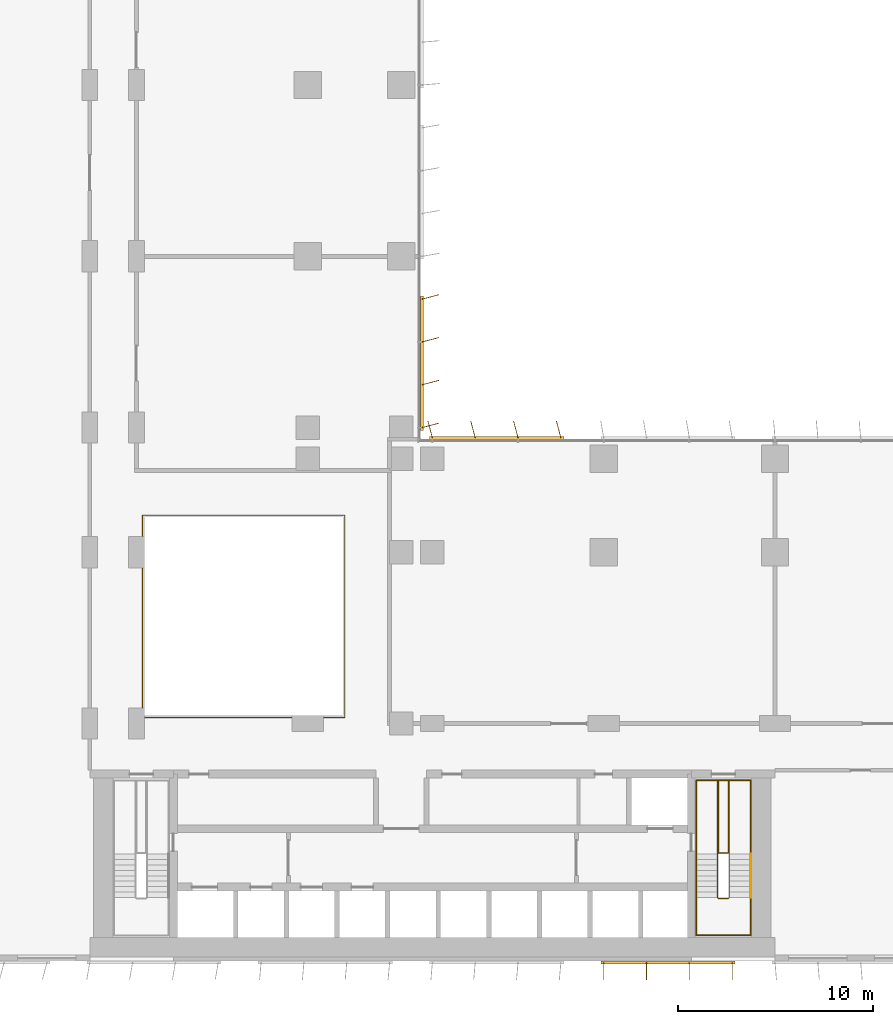
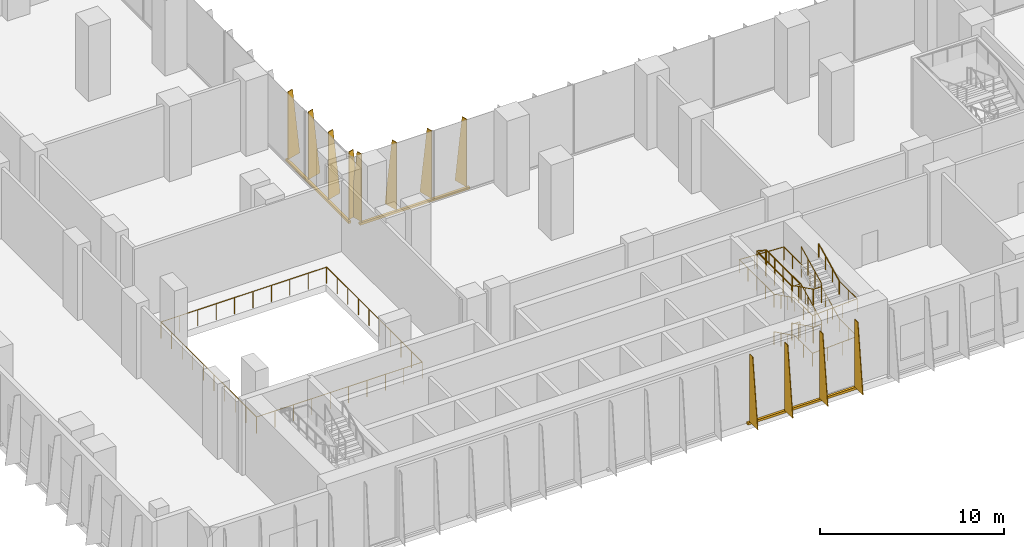
# One storey, part 19 of 23: 5 railings, 3 shading devices.
"""IFC4 building model written with IfcOpenShell, lengths in metres."""

import ifcopenshell
import ifcopenshell.guid

model = None  # the IFC model being written
_history = None  # IfcOwnerHistory: only IFC2X3 demands one
_inside = {}  # id of a spatial element -> (the spatial element, [elements in it])
_under = {}  # id of a project, library or spatial element -> (it, [spatial elements below it])
_declared = {}  # id of a project -> (the project, [libraries it declares])
_typed = {}  # id of a type object -> (the type object, [elements of that type])
_made_of = {}  # id of a material, layer set ... -> (it, [elements and type objects made of it])


def new_model(schema):
    """Start an empty IFC model of exactly this schema.

    Asked for "IFC4X3", IfcOpenShell would pick the latest addendum, in which some entities
    have other attributes; the version numbers below select the first issue.
    IFC2X3 requires an IfcOwnerHistory on every rooted entity: one is made here for all.
    """
    global model, _history
    if schema == "IFC4X3":
        model = ifcopenshell.file(schema_version=(4, 3, 0, 0))
    else:
        model = ifcopenshell.file(schema=schema)
    _inside.clear()
    _under.clear()
    _declared.clear()
    _typed.clear()
    _made_of.clear()
    _history = None
    if model.schema == "IFC2X3":
        org = make("IfcOrganization", Name="unknown")
        user = make(
            "IfcPersonAndOrganization",
            ThePerson=make("IfcPerson", FamilyName="unknown"),
            TheOrganization=org,
        )
        app = make(
            "IfcApplication",
            ApplicationDeveloper=org,
            Version="unknown",
            ApplicationFullName="unknown",
            ApplicationIdentifier="unknown",
        )
        _history = make(
            "IfcOwnerHistory",
            OwningUser=user,
            OwningApplication=app,
            ChangeAction="ADDED",
            CreationDate=0,
        )
    return model


def make(cls, **values):
    """One entity of the class cls with the attributes given. An attribute that is None is left unset."""
    return model.create_entity(
        cls, **{name: value for name, value in values.items() if value is not None}
    )


def rooted(cls, **values):
    """An entity with a GlobalId (a new one), such as an element, a storey or a relation."""
    return make(cls, GlobalId=ifcopenshell.guid.new(), OwnerHistory=_history, **values)


def si_unit(unit_type, name, prefix=None):
    """IfcSIUnit, for example si_unit("LENGTHUNIT", "METRE", prefix="MILLI")."""
    return make("IfcSIUnit", UnitType=unit_type, Prefix=prefix, Name=name)


def assignment(units):
    """IfcUnitAssignment: the units of a project."""
    return None if units is None else make("IfcUnitAssignment", Units=units)


def point(xyz):
    """IfcCartesianPoint."""
    return None if xyz is None else make("IfcCartesianPoint", Coordinates=xyz)


def direction(xyz):
    """IfcDirection."""
    return None if xyz is None else make("IfcDirection", DirectionRatios=xyz)


def frame(location, z_axis=None, x_axis=None):
    """IfcAxis2Placement3D, a coordinate frame: its origin and axes. An axis left out is left unset."""
    return make(
        "IfcAxis2Placement3D",
        Location=point(location),
        Axis=direction(z_axis),
        RefDirection=direction(x_axis),
    )


def frame_2d(location, x_axis=None):
    """IfcAxis2Placement2D, a coordinate frame in the plane: its origin and x axis."""
    return make(
        "IfcAxis2Placement2D", Location=point(location), RefDirection=direction(x_axis)
    )


def origin():
    """The frame at (0, 0, 0) with its axes left unset."""
    return frame((0.0, 0.0, 0.0))


def origin_2d():
    """The frame at (0, 0) in the plane with its x axis left unset."""
    return frame_2d((0.0, 0.0))


def place(relative_to, where):
    """IfcLocalPlacement: puts the frame where relative to a parent placement (None: the world)."""
    return make(
        "IfcLocalPlacement", PlacementRelTo=relative_to, RelativePlacement=where
    )


def context(
    kind, dimensions, precision=None, world=None, true_north=None, identifier=None
):
    """IfcGeometricRepresentationContext, for example the 3D "Model" context."""
    return make(
        "IfcGeometricRepresentationContext",
        ContextIdentifier=identifier,
        ContextType=kind,
        CoordinateSpaceDimension=dimensions,
        Precision=precision,
        WorldCoordinateSystem=world,
        TrueNorth=true_north,
    )


def subcontext(parent, identifier, kind, view, scale=None):
    """IfcGeometricRepresentationSubContext, for example "Body" below "Model"."""
    return make(
        "IfcGeometricRepresentationSubContext",
        ContextIdentifier=identifier,
        ContextType=kind,
        ParentContext=parent,
        TargetScale=scale,
        TargetView=view,
    )


def project(units=None, contexts=None):
    """IfcProject with its units and contexts."""
    return rooted(
        "IfcProject",
        Name="project",
        RepresentationContexts=contexts,
        UnitsInContext=assignment(units),
    )


def spatial(cls, under=None, at=None, **own):
    """A site, building, storey or space (cls), placed at a placement, below another one or the project."""
    s = rooted(cls, ObjectPlacement=at, **own)
    if under is not None:
        _under.setdefault(under.id(), (under, []))[1].append(s)
    return s


def polyline(points):
    """IfcPolyline through the points."""
    return make("IfcPolyline", Points=[point(p) for p in points])


def profile(cls, at=None, kind="AREA", **sizes):
    """A parametric profile (cls). Its sizes go by their IFC names, for example OverallWidth=200.0."""
    return make(cls, ProfileType=kind, Position=at, **sizes)


def rectangle(**sizes):
    """IfcRectangleProfileDef."""
    return profile("IfcRectangleProfileDef", **sizes)


def circle(**sizes):
    """IfcCircleProfileDef."""
    return profile("IfcCircleProfileDef", **sizes)


def outline(outer, holes=None, kind="AREA"):
    """IfcArbitraryClosedProfileDef: a profile drawn as a closed curve; with holes, ...WithVoids."""
    if holes is None:
        return make("IfcArbitraryClosedProfileDef", ProfileType=kind, OuterCurve=outer)
    return make(
        "IfcArbitraryProfileDefWithVoids",
        ProfileType=kind,
        OuterCurve=outer,
        InnerCurves=holes,
    )


def extrude(swept, where, along, depth):
    """IfcExtrudedAreaSolid: the profile swept, set in the frame where, extruded along a direction by depth."""
    return make(
        "IfcExtrudedAreaSolid",
        SweptArea=swept,
        Position=where,
        ExtrudedDirection=direction(along),
        Depth=depth,
    )


def shape(context_of_items, identifier, shape_type, items):
    """IfcShapeRepresentation: the items that make up one representation, for example the "Body"."""
    return make(
        "IfcShapeRepresentation",
        ContextOfItems=context_of_items,
        RepresentationIdentifier=identifier,
        RepresentationType=shape_type,
        Items=items,
    )


def source(mapping_origin, context_of_items, identifier, shape_type, items):
    """IfcRepresentationMap: a shape defined once, which mapped items show again and again."""
    return make(
        "IfcRepresentationMap",
        MappingOrigin=mapping_origin,
        MappedRepresentation=shape(context_of_items, identifier, shape_type, items),
    )


def transform(
    local_origin,
    x_axis=None,
    y_axis=None,
    z_axis=None,
    scale=None,
    scale2=None,
    scale3=None,
    uniform=True,
):
    """IfcCartesianTransformationOperator3D, or its non-uniform kind. x_axis, y_axis, z_axis: its Axis1, 2, 3."""
    if uniform:
        return make(
            "IfcCartesianTransformationOperator3D",
            Axis1=direction(x_axis),
            Axis2=direction(y_axis),
            LocalOrigin=point(local_origin),
            Scale=scale,
            Axis3=direction(z_axis),
        )
    return make(
        "IfcCartesianTransformationOperator3DnonUniform",
        Axis1=direction(x_axis),
        Axis2=direction(y_axis),
        LocalOrigin=point(local_origin),
        Scale=scale,
        Axis3=direction(z_axis),
        Scale2=scale2,
        Scale3=scale3,
    )


def mapped(mapping_source, mapping_target):
    """IfcMappedItem: shows the shape of a source again, moved by a transform."""
    return make(
        "IfcMappedItem", MappingSource=mapping_source, MappingTarget=mapping_target
    )


def material(Name=None, Category=None):
    """IfcMaterial."""
    return make("IfcMaterial", Name=Name, Category=Category)


def layer(
    of_material, thickness, ventilated=None, Name=None, Category=None, Priority=None
):
    """IfcMaterialLayer: one layer of a wall or slab, of a material (None: an air gap)."""
    return make(
        "IfcMaterialLayer",
        Material=of_material,
        LayerThickness=thickness,
        IsVentilated=ventilated,
        Name=Name,
        Category=Category,
        Priority=Priority,
    )


def layer_set(layers, Name=None):
    """IfcMaterialLayerSet."""
    return make("IfcMaterialLayerSet", MaterialLayers=layers, LayerSetName=Name)


def made_of(thing, what):
    """Note that an element or type object is made of a material, layer set ...; save() writes the relation."""
    if what is not None:
        _made_of.setdefault(what.id(), (what, []))[1].append(thing)
    return thing


def type_object(cls, material=None, **own):
    """A type object (cls), such as IfcWallType, which elements share."""
    return made_of(rooted(cls, **own), material)


def element(
    cls,
    number,
    at=None,
    inside=None,
    cuts=None,
    type_object=None,
    material=None,
    context=None,
    identifier="Body",
    shape_type=None,
    held_by="IfcProductDefinitionShape",
    body=None,
    shapes=None,
    **own,
):
    """One element of the class cls, such as IfcWall. Its Tag is "e" and its number.

    at: its placement. inside: the storey or other place that contains it. cuts: it is an
    opening in that element (IfcRelVoidsElement). A single representation is given by context,
    identifier, shape_type and body (its items); several are given by shapes. held_by: the class
    of the entity that holds the representations. save() writes the other relations.
    """
    e = rooted(cls, Tag="e%d" % number, ObjectPlacement=at, **own)
    if body is not None:
        shapes = [shape(context, identifier, shape_type, body)]
    if shapes is not None:
        e.Representation = make(held_by, Representations=shapes)
    if inside is not None:
        _inside.setdefault(inside.id(), (inside, []))[1].append(e)
    if cuts is not None:
        rooted(
            "IfcRelVoidsElement", RelatingBuildingElement=cuts, RelatedOpeningElement=e
        )
    if type_object is not None:
        _typed.setdefault(type_object.id(), (type_object, []))[1].append(e)
    return made_of(e, material)


def aggregate(whole, parts):
    """IfcRelAggregates: a whole, such as a stair, and the parts it consists of."""
    return rooted("IfcRelAggregates", RelatingObject=whole, RelatedObjects=parts)


def save(model, path):
    """Write the relations noted so far, then the file.

    IfcRelAggregates (storeys below a building ...), IfcRelContainedInSpatialStructure (elements
    in a storey), IfcRelDefinesByType, IfcRelAssociatesMaterial and IfcRelDeclares: one each for
    every whole, place, type object, material and project.
    """
    for whole, parts in _under.values():
        aggregate(whole, parts)
    for where, things in _inside.values():
        rooted(
            "IfcRelContainedInSpatialStructure",
            RelatedElements=things,
            RelatingStructure=where,
        )
    for kind, things in _typed.values():
        rooted("IfcRelDefinesByType", RelatedObjects=things, RelatingType=kind)
    for what, things in _made_of.values():
        rooted("IfcRelAssociatesMaterial", RelatedObjects=things, RelatingMaterial=what)
    for by, libraries in _declared.values():
        rooted("IfcRelDeclares", RelatingContext=by, RelatedDefinitions=libraries)
    model.write(path)


model = new_model("IFC4")

# Units and contexts
model_context = context("Model", 3, precision=1e-05, world=origin(), true_north=direction((0.0, 1.0)))
body_context = subcontext(model_context, "Body", "Model", "MODEL_VIEW")
ifc_project = project(units=[si_unit("LENGTHUNIT", "METRE"), si_unit("AREAUNIT", "SQUARE_METRE"), si_unit("VOLUMEUNIT", "CUBIC_METRE"), si_unit("PLANEANGLEUNIT", "RADIAN"), si_unit("MASSUNIT", "GRAM", prefix="KILO")], contexts=[model_context])

# Site, building, storey
site_placement = place(None, origin())
site = spatial("IfcSite", under=ifc_project, at=site_placement, CompositionType="ELEMENT")
building_placement = place(site_placement, origin())
building = spatial("IfcBuilding", under=site, at=building_placement, Name="Kemantara Hotel Tower", CompositionType="ELEMENT")
storey_placement = place(building_placement, frame((0.0, 0.0, 71.0)))
storey = spatial("IfcBuildingStorey", under=building, at=storey_placement, Name="L16", CompositionType="ELEMENT", Elevation=71.0)

# Railings
ifc_material_1 = material(Name="Stainless steel balustrade", Category="steel")
railing_type_1 = type_object("IfcRailingType", Name="STAINLESS STEEL GUARD 1100", PredefinedType="GUARDRAIL", material=ifc_material_1)
railing_1_placement = place(storey_placement, frame((12.5, 12.5, 0.0)))
element("IfcRailing", 1, at=railing_1_placement, inside=storey, type_object=railing_type_1, Name="ATRIUM GUARD", PredefinedType="GUARDRAIL", context=body_context, shape_type="SweptSolid", body=[
    extrude(circle(Radius=0.02392578125, at=origin_2d()), frame((0.0, 0.0, 1.076171875), z_axis=(1.0, 0.0, 0.0), x_axis=(0.0, 1.0, 0.0)), (0.0, 0.0, 1.0), 10.39990234375),
    extrude(circle(Radius=0.02392578125, at=origin_2d()), frame((10.39990234375, 0.0, 1.076171875), z_axis=(0.0, 1.0, 0.0), x_axis=(-1.0, 0.0, 0.0)), (0.0, 0.0, 1.0), 10.39990234375),
    extrude(circle(Radius=0.02392578125, at=origin_2d()), frame((10.39990234375, 10.39990234375, 1.076171875), z_axis=(-1.0, 0.0, 0.0), x_axis=(0.0, -1.0, 0.0)), (0.0, 0.0, 1.0), 10.39990234375),
    extrude(circle(Radius=0.02392578125, at=origin_2d()), frame((0.0, 10.39990234375, 1.076171875), z_axis=(0.0, -1.0, 0.0), x_axis=(1.0, 0.0, 0.0)), (0.0, 0.0, 1.0), 10.39990234375),
    extrude(circle(Radius=0.02099609375, at=origin_2d()), origin(), (0.0, 0.0, 1.0), 1.052001953125),
    extrude(circle(Radius=0.02099609375, at=origin_2d()), frame((1.155517578125, 0.0, 0.0)), (0.0, 0.0, 1.0), 1.052001953125),
    extrude(circle(Radius=0.02099609375, at=origin_2d()), frame((2.31103515625, 0.0, 0.0)), (0.0, 0.0, 1.0), 1.052001953125),
    extrude(circle(Radius=0.02099609375, at=origin_2d()), frame((3.466552734375, 0.0, 0.0)), (0.0, 0.0, 1.0), 1.052001953125),
    extrude(circle(Radius=0.02099609375, at=origin_2d()), frame((4.6220703125, 0.0, 0.0)), (0.0, 0.0, 1.0), 1.052001953125),
    extrude(circle(Radius=0.02099609375, at=origin_2d()), frame((5.77783203125, 0.0, 0.0)), (0.0, 0.0, 1.0), 1.052001953125),
    extrude(circle(Radius=0.02099609375, at=origin_2d()), frame((6.933349609375, 0.0, 0.0)), (0.0, 0.0, 1.0), 1.052001953125),
    extrude(circle(Radius=0.02099609375, at=origin_2d()), frame((8.0888671875, 0.0, 0.0)), (0.0, 0.0, 1.0), 1.052001953125),
    extrude(circle(Radius=0.02099609375, at=origin_2d()), frame((9.244384765625, 0.0, 0.0)), (0.0, 0.0, 1.0), 1.052001953125),
    extrude(circle(Radius=0.02099609375, at=origin_2d()), frame((10.39990234375, 0.0, 0.0)), (0.0, 0.0, 1.0), 1.052001953125),
    extrude(circle(Radius=0.02099609375, at=origin_2d()), frame((10.39990234375, 1.155517578125, 0.0)), (0.0, 0.0, 1.0), 1.052001953125),
    extrude(circle(Radius=0.02099609375, at=origin_2d()), frame((10.39990234375, 2.31103515625, 0.0)), (0.0, 0.0, 1.0), 1.052001953125),
    extrude(circle(Radius=0.02099609375, at=origin_2d()), frame((10.39990234375, 3.466552734375, 0.0)), (0.0, 0.0, 1.0), 1.052001953125),
    extrude(circle(Radius=0.02099609375, at=origin_2d()), frame((10.39990234375, 4.6220703125, 0.0)), (0.0, 0.0, 1.0), 1.052001953125),
    extrude(circle(Radius=0.02099609375, at=origin_2d()), frame((10.39990234375, 5.77783203125, 0.0)), (0.0, 0.0, 1.0), 1.052001953125),
    extrude(circle(Radius=0.02099609375, at=origin_2d()), frame((10.39990234375, 6.933349609375, 0.0)), (0.0, 0.0, 1.0), 1.052001953125),
    extrude(circle(Radius=0.02099609375, at=origin_2d()), frame((10.39990234375, 8.0888671875, 0.0)), (0.0, 0.0, 1.0), 1.052001953125),
    extrude(circle(Radius=0.02099609375, at=origin_2d()), frame((10.39990234375, 9.244384765625, 0.0)), (0.0, 0.0, 1.0), 1.052001953125),
    extrude(circle(Radius=0.02099609375, at=origin_2d()), frame((10.39990234375, 10.39990234375, 0.0)), (0.0, 0.0, 1.0), 1.052001953125),
    extrude(circle(Radius=0.02099609375, at=origin_2d()), frame((9.244384765625, 10.39990234375, 0.0)), (0.0, 0.0, 1.0), 1.052001953125),
    extrude(circle(Radius=0.02099609375, at=origin_2d()), frame((8.0888671875, 10.39990234375, 0.0)), (0.0, 0.0, 1.0), 1.052001953125),
    extrude(circle(Radius=0.02099609375, at=origin_2d()), frame((6.933349609375, 10.39990234375, 0.0)), (0.0, 0.0, 1.0), 1.052001953125),
    extrude(circle(Radius=0.02099609375, at=origin_2d()), frame((5.77783203125, 10.39990234375, 0.0)), (0.0, 0.0, 1.0), 1.052001953125),
    extrude(circle(Radius=0.02099609375, at=origin_2d()), frame((4.6220703125, 10.39990234375, 0.0)), (0.0, 0.0, 1.0), 1.052001953125),
    extrude(circle(Radius=0.02099609375, at=origin_2d()), frame((3.466552734375, 10.39990234375, 0.0)), (0.0, 0.0, 1.0), 1.052001953125),
    extrude(circle(Radius=0.02099609375, at=origin_2d()), frame((2.31103515625, 10.39990234375, 0.0)), (0.0, 0.0, 1.0), 1.052001953125),
    extrude(circle(Radius=0.02099609375, at=origin_2d()), frame((1.155517578125, 10.39990234375, 0.0)), (0.0, 0.0, 1.0), 1.052001953125),
    extrude(circle(Radius=0.02099609375, at=origin_2d()), frame((0.0, 10.39990234375, 0.0)), (0.0, 0.0, 1.0), 1.052001953125),
    extrude(circle(Radius=0.02099609375, at=origin_2d()), frame((0.0, 9.244384765625, 0.0)), (0.0, 0.0, 1.0), 1.052001953125),
    extrude(circle(Radius=0.02099609375, at=origin_2d()), frame((0.0, 8.0888671875, 0.0)), (0.0, 0.0, 1.0), 1.052001953125),
    extrude(circle(Radius=0.02099609375, at=origin_2d()), frame((0.0, 6.933349609375, 0.0)), (0.0, 0.0, 1.0), 1.052001953125),
    extrude(circle(Radius=0.02099609375, at=origin_2d()), frame((0.0, 5.77783203125, 0.0)), (0.0, 0.0, 1.0), 1.052001953125),
    extrude(circle(Radius=0.02099609375, at=origin_2d()), frame((0.0, 4.6220703125, 0.0)), (0.0, 0.0, 1.0), 1.052001953125),
    extrude(circle(Radius=0.02099609375, at=origin_2d()), frame((0.0, 3.466552734375, 0.0)), (0.0, 0.0, 1.0), 1.052001953125),
    extrude(circle(Radius=0.02099609375, at=origin_2d()), frame((0.0, 2.31103515625, 0.0)), (0.0, 0.0, 1.0), 1.052001953125),
    extrude(circle(Radius=0.02099609375, at=origin_2d()), frame((0.0, 1.155517578125, 0.0)), (0.0, 0.0, 1.0), 1.052001953125),
])
railing_type_2 = type_object("IfcRailingType", Name="Stair guard 1100 mm", PredefinedType="GUARDRAIL", material=ifc_material_1)
railing_2_placement = place(storey_placement, frame((42.64990234375, 5.5, 5.0)))
element("IfcRailing", 2, at=railing_2_placement, inside=storey, type_object=railing_type_2, Name="L16 ST2 stair guard 1", PredefinedType="GUARDRAIL", context=body_context, shape_type="SweptSolid", body=[
    extrude(circle(Radius=0.02392578125, at=origin_2d()), frame((0.0, 0.0, 1.076171875), z_axis=(0.0, -0.895848192791, -0.444360231651), x_axis=(1.0, 0.0, 0.0)), (0.0, 0.0, 1.0), 2.50048828125),
    extrude(circle(Radius=0.02392578125, at=origin_2d()), frame((0.0, -2.239990234375, -0.03515625), z_axis=(-0.319608697381, -0.321175406682, -0.891457592206), x_axis=(0.708833529934, -0.705375805398, 0.0)), (0.0, 0.0, 1.0), 0.15576171875),
    extrude(circle(Radius=0.02392578125, at=origin_2d()), frame((-0.0498046875, -2.2900390625, -0.173828125), z_axis=(-1.0, 0.0, 0.0), x_axis=(0.0, -1.0, 0.0)), (0.0, 0.0, 1.0), 0.5),
    extrude(circle(Radius=0.02392578125, at=origin_2d()), frame((-0.5498046875, -2.2900390625, -0.173828125), z_axis=(-0.707106781187, 0.707106781187, 0.0), x_axis=(-0.707106781187, -0.707106781187, 0.0)), (0.0, 0.0, 1.0), 0.07080078125),
    extrude(circle(Radius=0.02392578125, at=origin_2d()), frame((-0.599853515625, -2.239990234375, -0.173828125), z_axis=(0.0, 0.895848192791, -0.444360231651), x_axis=(-1.0, 0.0, 0.0)), (0.0, 0.0, 1.0), 2.50048828125),
    extrude(circle(Radius=0.02392578125, at=origin_2d()), frame((-0.599853515625, 0.0, -1.28515625), z_axis=(0.0, 1.0, 0.0), x_axis=(-1.0, 0.0, 0.0)), (0.0, 0.0, 1.0), 3.780029296875),
    extrude(circle(Radius=0.02392578125, at=origin_2d()), frame((-0.599853515625, 3.780029296875, -1.28515625), z_axis=(0.969557479204, 0.0, -0.244863828525), x_axis=(0.0, 1.0, 0.0)), (0.0, 0.0, 1.0), 0.5673828125),
    extrude(circle(Radius=0.02392578125, at=origin_2d()), frame((-0.0498046875, 3.780029296875, -1.423828125), z_axis=(0.0, -1.0, 0.0), x_axis=(1.0, 0.0, 0.0)), (0.0, 0.0, 1.0), 3.72998046875),
    extrude(circle(Radius=0.02392578125, at=origin_2d()), frame((-0.0498046875, 0.050048828125, -1.423828125), z_axis=(-1.0, 0.0, 0.0), x_axis=(0.0, -1.0, 0.0)), (0.0, 0.0, 1.0), 0.5),
    extrude(circle(Radius=0.02392578125, at=origin_2d()), frame((-0.5498046875, 0.050048828125, -1.423828125), z_axis=(0.0, 1.0, 0.0), x_axis=(-1.0, 0.0, 0.0)), (0.0, 0.0, 1.0), 3.72998046875),
    extrude(circle(Radius=0.02392578125, at=origin_2d()), frame((-0.5498046875, 3.780029296875, -1.423828125), z_axis=(1.0, 0.0, 0.0), x_axis=(0.0, 1.0, 0.0)), (0.0, 0.0, 1.0), 0.5498046875),
    extrude(circle(Radius=0.02392578125, at=origin_2d()), frame((0.0, 3.780029296875, -1.423828125), z_axis=(0.0, -1.0, 0.0), x_axis=(1.0, 0.0, 0.0)), (0.0, 0.0, 1.0), 3.780029296875),
    extrude(circle(Radius=0.02392578125, at=origin_2d()), frame((0.0, 0.0, -1.423828125), z_axis=(0.0, -0.895848192791, -0.444360231651), x_axis=(1.0, 0.0, 0.0)), (0.0, 0.0, 1.0), 2.50048828125),
    extrude(circle(Radius=0.02392578125, at=origin_2d()), frame((0.0, -2.239990234375, -2.53515625), z_axis=(-0.319608697381, -0.321175406682, -0.891457592206), x_axis=(0.708833529934, -0.705375805398, 0.0)), (0.0, 0.0, 1.0), 0.15576171875),
    extrude(circle(Radius=0.02392578125, at=origin_2d()), frame((-0.0498046875, -2.2900390625, -2.673828125), z_axis=(-1.0, 0.0, 0.0), x_axis=(0.0, -1.0, 0.0)), (0.0, 0.0, 1.0), 0.5),
    extrude(circle(Radius=0.02392578125, at=origin_2d()), frame((-0.5498046875, -2.2900390625, -2.673828125), z_axis=(-0.707106781187, 0.707106781187, 0.0), x_axis=(-0.707106781187, -0.707106781187, 0.0)), (0.0, 0.0, 1.0), 0.07080078125),
    extrude(circle(Radius=0.02392578125, at=origin_2d()), frame((-0.599853515625, -2.239990234375, -2.673828125), z_axis=(0.0, 0.895848192791, -0.444360231651), x_axis=(-1.0, 0.0, 0.0)), (0.0, 0.0, 1.0), 2.50048828125),
    extrude(circle(Radius=0.02392578125, at=origin_2d()), frame((-0.599853515625, 0.0, -3.78515625), z_axis=(0.321014310373, 0.321014310373, -0.891010451718), x_axis=(-0.707106781187, 0.707106781187, 0.0)), (0.0, 0.0, 1.0), 0.156005859375),
    extrude(circle(Radius=0.02392578125, at=origin_2d()), frame((-0.5498046875, 0.050048828125, -3.923828125), z_axis=(1.0, 0.0, 0.0), x_axis=(0.0, 1.0, 0.0)), (0.0, 0.0, 1.0), 0.5),
    extrude(circle(Radius=0.02099609375, at=origin_2d()), origin(), (0.0, 0.0, 1.0), 1.052001953125),
    extrude(circle(Radius=0.02099609375, at=origin_2d()), frame((0.0, -0.74658203125, -0.370361328125)), (0.0, 0.0, 1.0), 1.052001953125),
    extrude(circle(Radius=0.02099609375, at=origin_2d()), frame((0.0, -1.493408203125, -0.74072265625)), (0.0, 0.0, 1.0), 1.052001953125),
    extrude(circle(Radius=0.02099609375, at=origin_2d()), frame((0.0, -2.239990234375, -1.111083984375)), (0.0, 0.0, 1.0), 1.052001953125),
    extrude(circle(Radius=0.02099609375, at=origin_2d()), frame((-0.0498046875, -2.2900390625, -1.25)), (0.0, 0.0, 1.0), 1.052001953125),
    extrude(circle(Radius=0.02099609375, at=origin_2d()), frame((-0.5498046875, -2.2900390625, -1.25)), (0.0, 0.0, 1.0), 1.052001953125),
    extrude(circle(Radius=0.02099609375, at=origin_2d()), frame((-0.599853515625, -2.239990234375, -1.25)), (0.0, 0.0, 1.0), 1.052001953125),
    extrude(circle(Radius=0.02099609375, at=origin_2d()), frame((-0.599853515625, -1.493408203125, -1.620361328125)), (0.0, 0.0, 1.0), 1.052001953125),
    extrude(circle(Radius=0.02099609375, at=origin_2d()), frame((-0.599853515625, -0.74658203125, -1.99072265625)), (0.0, 0.0, 1.0), 1.052001953125),
    extrude(circle(Radius=0.02099609375, at=origin_2d()), frame((-0.599853515625, 0.0, -2.361083984375)), (0.0, 0.0, 1.0), 1.052001953125),
    extrude(circle(Radius=0.02099609375, at=origin_2d()), frame((-0.599853515625, 0.945068359375, -2.361083984375)), (0.0, 0.0, 1.0), 1.052001953125),
    extrude(circle(Radius=0.02099609375, at=origin_2d()), frame((-0.599853515625, 1.89013671875, -2.361083984375)), (0.0, 0.0, 1.0), 1.052001953125),
    extrude(circle(Radius=0.02099609375, at=origin_2d()), frame((-0.599853515625, 2.8349609375, -2.361083984375)), (0.0, 0.0, 1.0), 1.052001953125),
    extrude(circle(Radius=0.02099609375, at=origin_2d()), frame((-0.599853515625, 3.780029296875, -2.361083984375)), (0.0, 0.0, 1.0), 1.052001953125),
    extrude(circle(Radius=0.02099609375, at=origin_2d()), frame((-0.0498046875, 3.780029296875, -2.5)), (0.0, 0.0, 1.0), 1.052001953125),
    extrude(circle(Radius=0.02099609375, at=origin_2d()), frame((-0.0498046875, 2.84765625, -2.5)), (0.0, 0.0, 1.0), 1.052001953125),
    extrude(circle(Radius=0.02099609375, at=origin_2d()), frame((-0.0498046875, 1.9150390625, -2.5)), (0.0, 0.0, 1.0), 1.052001953125),
    extrude(circle(Radius=0.02099609375, at=origin_2d()), frame((-0.0498046875, 0.982421875, -2.5)), (0.0, 0.0, 1.0), 1.052001953125),
    extrude(circle(Radius=0.02099609375, at=origin_2d()), frame((-0.0498046875, 0.050048828125, -2.5)), (0.0, 0.0, 1.0), 1.052001953125),
    extrude(circle(Radius=0.02099609375, at=origin_2d()), frame((-0.5498046875, 0.050048828125, -2.5)), (0.0, 0.0, 1.0), 1.052001953125),
    extrude(circle(Radius=0.02099609375, at=origin_2d()), frame((-0.5498046875, 0.982421875, -2.5)), (0.0, 0.0, 1.0), 1.052001953125),
    extrude(circle(Radius=0.02099609375, at=origin_2d()), frame((-0.5498046875, 1.9150390625, -2.5)), (0.0, 0.0, 1.0), 1.052001953125),
    extrude(circle(Radius=0.02099609375, at=origin_2d()), frame((-0.5498046875, 2.84765625, -2.5)), (0.0, 0.0, 1.0), 1.052001953125),
    extrude(circle(Radius=0.02099609375, at=origin_2d()), frame((-0.5498046875, 3.780029296875, -2.5)), (0.0, 0.0, 1.0), 1.052001953125),
    extrude(circle(Radius=0.02099609375, at=origin_2d()), frame((0.0, 3.780029296875, -2.5)), (0.0, 0.0, 1.0), 1.052001953125),
    extrude(circle(Radius=0.02099609375, at=origin_2d()), frame((0.0, 2.8349609375, -2.5)), (0.0, 0.0, 1.0), 1.052001953125),
    extrude(circle(Radius=0.02099609375, at=origin_2d()), frame((0.0, 1.89013671875, -2.5)), (0.0, 0.0, 1.0), 1.052001953125),
    extrude(circle(Radius=0.02099609375, at=origin_2d()), frame((0.0, 0.945068359375, -2.5)), (0.0, 0.0, 1.0), 1.052001953125),
    extrude(circle(Radius=0.02099609375, at=origin_2d()), frame((0.0, 0.0, -2.5)), (0.0, 0.0, 1.0), 1.052001953125),
    extrude(circle(Radius=0.02099609375, at=origin_2d()), frame((0.0, -0.74658203125, -2.870361328125)), (0.0, 0.0, 1.0), 1.052001953125),
    extrude(circle(Radius=0.02099609375, at=origin_2d()), frame((0.0, -1.493408203125, -3.24072265625)), (0.0, 0.0, 1.0), 1.052001953125),
    extrude(circle(Radius=0.02099609375, at=origin_2d()), frame((0.0, -2.239990234375, -3.611083984375)), (0.0, 0.0, 1.0), 1.052001953125),
    extrude(circle(Radius=0.02099609375, at=origin_2d()), frame((-0.0498046875, -2.2900390625, -3.75)), (0.0, 0.0, 1.0), 1.052001953125),
    extrude(circle(Radius=0.02099609375, at=origin_2d()), frame((-0.5498046875, -2.2900390625, -3.75)), (0.0, 0.0, 1.0), 1.052001953125),
    extrude(circle(Radius=0.02099609375, at=origin_2d()), frame((-0.599853515625, -2.239990234375, -3.75)), (0.0, 0.0, 1.0), 1.052001953125),
    extrude(circle(Radius=0.02099609375, at=origin_2d()), frame((-0.599853515625, -1.493408203125, -4.120361328125)), (0.0, 0.0, 1.0), 1.052001953125),
    extrude(circle(Radius=0.02099609375, at=origin_2d()), frame((-0.599853515625, -0.74658203125, -4.49072265625)), (0.0, 0.0, 1.0), 1.052001953125),
    extrude(circle(Radius=0.02099609375, at=origin_2d()), frame((-0.599853515625, 0.0, -4.861083984375)), (0.0, 0.0, 1.0), 1.052001953125),
    extrude(circle(Radius=0.02099609375, at=origin_2d()), frame((-0.5498046875, 0.050048828125, -5.0)), (0.0, 0.0, 1.0), 1.052001953125),
    extrude(circle(Radius=0.02099609375, at=origin_2d()), frame((-0.0498046875, 0.050048828125, -5.0)), (0.0, 0.0, 1.0), 1.052001953125),
])
railing_type_3 = type_object("IfcRailingType", Name="Stair handrail 900 mm", PredefinedType="HANDRAIL", material=ifc_material_1)
railing_3_placement = place(storey_placement, frame((40.949951171875, 5.5, 0.138916015625)))
element("IfcRailing", 3, at=railing_3_placement, inside=storey, type_object=railing_type_3, Name="L16 ST2 stair handrail 1", PredefinedType="HANDRAIL", context=body_context, shape_type="SweptSolid", body=[
    extrude(circle(Radius=0.02392578125, at=origin_2d()), frame((0.0, 0.0, 0.8759765625), z_axis=(0.0, -0.895848192791, 0.444360231651), x_axis=(1.0, 0.0, 0.0)), (0.0, 0.0, 1.0), 2.50048828125),
    extrude(circle(Radius=0.02392578125, at=origin_2d()), frame((0.0, -2.239990234375, 1.98681640625), z_axis=(0.0, -1.0, 0.0), x_axis=(1.0, 0.0, 0.0)), (0.0, 0.0, 1.0), 1.93994140625),
    extrude(circle(Radius=0.02392578125, at=origin_2d()), frame((0.0, -4.179931640625, 1.98681640625), z_axis=(0.998771592041, 0.0, 0.049551053786), x_axis=(0.0, 1.0, 0.0)), (0.0, 0.0, 1.0), 2.803466796875),
    extrude(circle(Radius=0.02392578125, at=origin_2d()), frame((2.800048828125, -4.179931640625, 2.1259765625), z_axis=(0.0, 1.0, 0.0), x_axis=(-1.0, 0.0, 0.0)), (0.0, 0.0, 1.0), 1.93994140625),
    extrude(circle(Radius=0.02392578125, at=origin_2d()), frame((2.800048828125, -2.239990234375, 2.1259765625), z_axis=(0.0, 0.895848192791, 0.444360231651), x_axis=(-1.0, 0.0, 0.0)), (0.0, 0.0, 1.0), 2.50048828125),
    extrude(circle(Radius=0.02392578125, at=origin_2d()), frame((2.800048828125, 0.0, 3.23681640625), z_axis=(0.0, 1.0, 0.0), x_axis=(-1.0, 0.0, 0.0)), (0.0, 0.0, 1.0), 3.780029296875),
    extrude(circle(Radius=0.02099609375, at=origin_2d()), origin(), (0.0, 0.0, 1.0), 0.851806640625),
    extrude(circle(Radius=0.02099609375, at=origin_2d()), frame((0.0, -0.74658203125, 0.370361328125)), (0.0, 0.0, 1.0), 0.851806640625),
    extrude(circle(Radius=0.02099609375, at=origin_2d()), frame((0.0, -1.493408203125, 0.74072265625)), (0.0, 0.0, 1.0), 0.851806640625),
    extrude(circle(Radius=0.02099609375, at=origin_2d()), frame((0.0, -2.239990234375, 1.111083984375)), (0.0, 0.0, 1.0), 0.851806640625),
    extrude(circle(Radius=0.02099609375, at=origin_2d()), frame((0.0, -3.2099609375, 1.111083984375)), (0.0, 0.0, 1.0), 0.851806640625),
    extrude(circle(Radius=0.02099609375, at=origin_2d()), frame((0.0, -4.179931640625, 1.111083984375)), (0.0, 0.0, 1.0), 0.851806640625),
    extrude(circle(Radius=0.02099609375, at=origin_2d()), frame((0.933349609375, -4.179931640625, 1.157470703125)), (0.0, 0.0, 1.0), 0.851806640625),
    extrude(circle(Radius=0.02099609375, at=origin_2d()), frame((1.86669921875, -4.179931640625, 1.20361328125)), (0.0, 0.0, 1.0), 0.851806640625),
    extrude(circle(Radius=0.02099609375, at=origin_2d()), frame((2.800048828125, -4.179931640625, 1.25)), (0.0, 0.0, 1.0), 0.851806640625),
    extrude(circle(Radius=0.02099609375, at=origin_2d()), frame((2.800048828125, -3.2099609375, 1.25)), (0.0, 0.0, 1.0), 0.851806640625),
    extrude(circle(Radius=0.02099609375, at=origin_2d()), frame((2.800048828125, -2.239990234375, 1.25)), (0.0, 0.0, 1.0), 0.851806640625),
    extrude(circle(Radius=0.02099609375, at=origin_2d()), frame((2.800048828125, -1.493408203125, 1.620361328125)), (0.0, 0.0, 1.0), 0.851806640625),
    extrude(circle(Radius=0.02099609375, at=origin_2d()), frame((2.800048828125, -0.74658203125, 1.99072265625)), (0.0, 0.0, 1.0), 0.851806640625),
    extrude(circle(Radius=0.02099609375, at=origin_2d()), frame((2.800048828125, 0.0, 2.361083984375)), (0.0, 0.0, 1.0), 0.851806640625),
    extrude(circle(Radius=0.02099609375, at=origin_2d()), frame((2.800048828125, 0.945068359375, 2.361083984375)), (0.0, 0.0, 1.0), 0.851806640625),
    extrude(circle(Radius=0.02099609375, at=origin_2d()), frame((2.800048828125, 1.89013671875, 2.361083984375)), (0.0, 0.0, 1.0), 0.851806640625),
    extrude(circle(Radius=0.02099609375, at=origin_2d()), frame((2.800048828125, 2.8349609375, 2.361083984375)), (0.0, 0.0, 1.0), 0.851806640625),
    extrude(circle(Radius=0.02099609375, at=origin_2d()), frame((2.800048828125, 3.780029296875, 2.361083984375)), (0.0, 0.0, 1.0), 0.851806640625),
])
railing_4_placement = place(storey_placement, frame((43.75, 9.280029296875, 2.5)))
element("IfcRailing", 4, at=railing_4_placement, inside=storey, type_object=railing_type_3, Name="L16 ST2 stair handrail 2", PredefinedType="HANDRAIL", context=body_context, shape_type="SweptSolid", body=[
    extrude(circle(Radius=0.02392578125, at=origin_2d()), frame((0.0, 0.0, 0.8759765625), z_axis=(-0.998771592041, 0.0, 0.049551053786), x_axis=(0.0, -1.0, 0.0)), (0.0, 0.0, 1.0), 2.803466796875),
    extrude(circle(Radius=0.02392578125, at=origin_2d()), frame((-2.800048828125, 0.0, 1.0146484375), z_axis=(0.0, -1.0, 0.0), x_axis=(1.0, 0.0, 0.0)), (0.0, 0.0, 1.0), 3.780029296875),
    extrude(circle(Radius=0.02392578125, at=origin_2d()), frame((-2.800048828125, -3.780029296875, 1.0146484375), z_axis=(0.0, -0.895848192791, 0.444360231651), x_axis=(1.0, 0.0, 0.0)), (0.0, 0.0, 1.0), 2.50048828125),
    extrude(circle(Radius=0.02392578125, at=origin_2d()), frame((-2.800048828125, -6.02001953125, 2.1259765625), z_axis=(0.0, -1.0, 0.0), x_axis=(1.0, 0.0, 0.0)), (0.0, 0.0, 1.0), 1.93994140625),
    extrude(circle(Radius=0.02392578125, at=origin_2d()), frame((-2.800048828125, -7.9599609375, 2.1259765625), z_axis=(0.998771592041, 0.0, 0.049551053786), x_axis=(0.0, 1.0, 0.0)), (0.0, 0.0, 1.0), 2.803466796875),
    extrude(circle(Radius=0.02392578125, at=origin_2d()), frame((0.0, -7.9599609375, 2.2646484375), z_axis=(0.0, 1.0, 0.0), x_axis=(-1.0, 0.0, 0.0)), (0.0, 0.0, 1.0), 1.93994140625),
    extrude(circle(Radius=0.02099609375, at=origin_2d()), origin(), (0.0, 0.0, 1.0), 0.851806640625),
    extrude(circle(Radius=0.02099609375, at=origin_2d()), frame((-0.933349609375, 0.0, 0.04638671875)), (0.0, 0.0, 1.0), 0.851806640625),
    extrude(circle(Radius=0.02099609375, at=origin_2d()), frame((-1.86669921875, 0.0, 0.092529296875)), (0.0, 0.0, 1.0), 0.851806640625),
    extrude(circle(Radius=0.02099609375, at=origin_2d()), frame((-2.800048828125, 0.0, 0.138916015625)), (0.0, 0.0, 1.0), 0.851806640625),
    extrude(circle(Radius=0.02099609375, at=origin_2d()), frame((-2.800048828125, -0.945068359375, 0.138916015625)), (0.0, 0.0, 1.0), 0.851806640625),
    extrude(circle(Radius=0.02099609375, at=origin_2d()), frame((-2.800048828125, -1.89013671875, 0.138916015625)), (0.0, 0.0, 1.0), 0.851806640625),
    extrude(circle(Radius=0.02099609375, at=origin_2d()), frame((-2.800048828125, -2.8349609375, 0.138916015625)), (0.0, 0.0, 1.0), 0.851806640625),
    extrude(circle(Radius=0.02099609375, at=origin_2d()), frame((-2.800048828125, -3.780029296875, 0.138916015625)), (0.0, 0.0, 1.0), 0.851806640625),
    extrude(circle(Radius=0.02099609375, at=origin_2d()), frame((-2.800048828125, -4.526611328125, 0.50927734375)), (0.0, 0.0, 1.0), 0.851806640625),
    extrude(circle(Radius=0.02099609375, at=origin_2d()), frame((-2.800048828125, -5.2734375, 0.879638671875)), (0.0, 0.0, 1.0), 0.851806640625),
    extrude(circle(Radius=0.02099609375, at=origin_2d()), frame((-2.800048828125, -6.02001953125, 1.25)), (0.0, 0.0, 1.0), 0.851806640625),
    extrude(circle(Radius=0.02099609375, at=origin_2d()), frame((-2.800048828125, -6.989990234375, 1.25)), (0.0, 0.0, 1.0), 0.851806640625),
    extrude(circle(Radius=0.02099609375, at=origin_2d()), frame((-2.800048828125, -7.9599609375, 1.25)), (0.0, 0.0, 1.0), 0.851806640625),
    extrude(circle(Radius=0.02099609375, at=origin_2d()), frame((-1.86669921875, -7.9599609375, 1.29638671875)), (0.0, 0.0, 1.0), 0.851806640625),
    extrude(circle(Radius=0.02099609375, at=origin_2d()), frame((-0.933349609375, -7.9599609375, 1.342529296875)), (0.0, 0.0, 1.0), 0.851806640625),
    extrude(circle(Radius=0.02099609375, at=origin_2d()), frame((0.0, -7.9599609375, 1.388916015625)), (0.0, 0.0, 1.0), 0.851806640625),
    extrude(circle(Radius=0.02099609375, at=origin_2d()), frame((0.0, -6.989990234375, 1.388916015625)), (0.0, 0.0, 1.0), 0.851806640625),
    extrude(circle(Radius=0.02099609375, at=origin_2d()), frame((0.0, -6.02001953125, 1.388916015625)), (0.0, 0.0, 1.0), 0.851806640625),
])
railing_5_placement = place(storey_placement, frame((43.75, 3.260009765625, 3.888916015625)))
element("IfcRailing", 5, at=railing_5_placement, inside=storey, type_object=railing_type_3, Name="L16 ST2 stair handrail 3", PredefinedType="HANDRAIL", context=body_context, shape_type="SweptSolid", body=[
    extrude(circle(Radius=0.02392578125, at=origin_2d()), frame((0.0, 0.0, 0.8759765625), z_axis=(0.0, 0.895848192791, 0.444360231651), x_axis=(-1.0, 0.0, 0.0)), (0.0, 0.0, 1.0), 2.50048828125),
    extrude(circle(Radius=0.02099609375, at=origin_2d()), origin(), (0.0, 0.0, 1.0), 0.851806640625),
    extrude(circle(Radius=0.02099609375, at=origin_2d()), frame((0.0, 0.74658203125, 0.370361328125)), (0.0, 0.0, 1.0), 0.851806640625),
    extrude(circle(Radius=0.02099609375, at=origin_2d()), frame((0.0, 1.493408203125, 0.74072265625)), (0.0, 0.0, 1.0), 0.851806640625),
    extrude(circle(Radius=0.02099609375, at=origin_2d()), frame((0.0, 2.239990234375, 1.111083984375)), (0.0, 0.0, 1.0), 0.851806640625),
])

# Shading devices
ifc_material_2 = material(Name="Perforated aluminium plate 4 mm bronze anodised", Category="aluminium")
ifc_layer_1 = layer(ifc_material_2, 0.0400390625)
ifc_layer_set_1 = layer_set([ifc_layer_1], Name="Perforated aluminium plate 4 mm bronze anodised")
shading_device_type_1 = type_object("IfcShadingDeviceType", Name="SCREEN FIN CASSETTE, 4 BLADES AT +0.0 DEG, 4500 HIGH", PredefinedType="USERDEFINED", material=ifc_layer_set_1)
shared_shape_1 = source(origin(), body_context, "Body", "SweptSolid", [
    extrude(rectangle(XDim=6.89990234375, YDim=0.14990234375, at=origin_2d()), frame((3.300048828125, -0.074951171875, -0.14990234375), z_axis=(0.0, 0.0, 1.0), x_axis=(1.0, 0.0, 0.0)), (0.0, 0.0, 1.0), 0.14990234375),
    extrude(outline(polyline([(0.0, 0.0), (0.89990234375, 0.0), (0.35009765625, 4.5), (0.0, 4.5), (0.0, 0.0)])), frame((0.02001953125, -0.074951171875, 0.0), z_axis=(-1.0, 0.0, 0.0), x_axis=(0.0, -1.0, 0.0)), (0.0, 0.0, 1.0), 0.0400390625),
    extrude(outline(polyline([(0.0, 0.0), (0.89990234375, 0.0), (0.35009765625, 4.5), (0.0, 4.5), (0.0, 0.0)])), frame((2.219970703125, -0.074951171875, 0.0), z_axis=(-1.0, 0.0, 0.0), x_axis=(0.0, -1.0, 0.0)), (0.0, 0.0, 1.0), 0.0400390625),
    extrude(outline(polyline([(0.0, 0.0), (0.89990234375, 0.0), (0.35009765625, 4.5), (0.0, 4.5), (0.0, 0.0)])), frame((4.419921875, -0.074951171875, 0.0), z_axis=(-1.0, 0.0, 0.0), x_axis=(0.0, -1.0, 0.0)), (0.0, 0.0, 1.0), 0.0400390625),
    extrude(outline(polyline([(0.0, 0.0), (0.89990234375, 0.0), (0.35009765625, 4.5), (0.0, 4.5), (0.0, 0.0)])), frame((6.6201171875, -0.074951171875, 0.0), z_axis=(-1.0, 0.0, 0.0), x_axis=(0.0, -1.0, 0.0)), (0.0, 0.0, 1.0), 0.0400390625),
])
shading_device_placement = place(storey_placement, frame((36.199951171875, 0.0, 0.10009765625), z_axis=(0.0, 0.0, 1.0), x_axis=(1.0, 0.0, 0.0)))
element("IfcShadingDevice", 6, at=shading_device_placement, inside=storey, type_object=shading_device_type_1, Name="SCREEN FIN CASSETTE L16 T1-R01-5", ObjectType="SCREEN FIN", PredefinedType="USERDEFINED", context=body_context, shape_type="MappedRepresentation", body=[
    mapped(shared_shape_1, transform((0.0, 0.0, 0.0))),
])
ifc_layer_2 = layer(ifc_material_2, 0.0400390625)
ifc_layer_set_2 = layer_set([ifc_layer_2], Name="Perforated aluminium plate 4 mm bronze anodised")
shading_device_type_2 = type_object("IfcShadingDeviceType", Name="SCREEN FIN CASSETTE, 4 BLADES AT +15.0 DEG, 4500 HIGH", PredefinedType="USERDEFINED", material=ifc_layer_set_2)
shared_shape_2 = source(origin(), body_context, "Body", "SweptSolid", [
    extrude(rectangle(XDim=6.89990234375, YDim=0.14990234375, at=origin_2d()), frame((3.300048828125, -0.074951171875, -0.14990234375), z_axis=(0.0, 0.0, 1.0), x_axis=(1.0, 0.0, 0.0)), (0.0, 0.0, 1.0), 0.14990234375),
    extrude(outline(polyline([(0.0, 0.0), (0.89990234375, 0.0), (0.35009765625, 4.5), (0.0, 4.5), (0.0, 0.0)])), frame((0.019287109375, -0.06982421875, 0.0), z_axis=(-0.966437683387, -0.256901156343, 0.0), x_axis=(0.256901156343, -0.966437683387, 0.0)), (0.0, 0.0, 1.0), 0.039794921875),
    extrude(outline(polyline([(0.0, 0.0), (0.89990234375, 0.0), (0.35009765625, 4.5), (0.0, 4.5), (0.0, 0.0)])), frame((2.21923828125, -0.06982421875, 0.0), z_axis=(-0.966437683387, -0.256901156343, 0.0), x_axis=(0.256901156343, -0.966437683387, 0.0)), (0.0, 0.0, 1.0), 0.039794921875),
    extrude(outline(polyline([(0.0, 0.0), (0.89990234375, 0.0), (0.35009765625, 4.5), (0.0, 4.5), (0.0, 0.0)])), frame((4.41943359375, -0.06982421875, 0.0), z_axis=(-0.966837822169, -0.255391122837, 0.0), x_axis=(0.255391122837, -0.966837822169, 0.0)), (0.0, 0.0, 1.0), 0.0400390625),
    extrude(outline(polyline([(0.0, 0.0), (0.89990234375, 0.0), (0.35009765625, 4.5), (0.0, 4.5), (0.0, 0.0)])), frame((6.619384765625, -0.06982421875, 0.0), z_axis=(-0.966837822169, -0.255391122837, 0.0), x_axis=(0.255391122837, -0.966837822169, 0.0)), (0.0, 0.0, 1.0), 0.0400390625),
])
for number, where, z_axis, x_axis, name in (
    (7, (34.0, 26.800048828125, 0.10009765625), (0.0, 0.0, 1.0), (-1.0, 0.0, 0.0), "SCREEN FIN CASSETTE L16 T1-R07-6"),
    (8, (26.800048828125, 27.39990234375, 0.10009765625), (0.0, 0.0, 1.0), (0.0, 1.0, 0.0), "SCREEN FIN CASSETTE L16 T1-R08-1"),
):
    element("IfcShadingDevice", number, at=place(storey_placement, frame(where, z_axis=z_axis, x_axis=x_axis)), inside=storey, type_object=shading_device_type_2, Name=name, ObjectType="SCREEN FIN", PredefinedType="USERDEFINED", context=body_context, shape_type="MappedRepresentation", body=[
        mapped(shared_shape_2, transform((0.0, 0.0, 0.0))),
    ])

save(model, "model.ifc")
